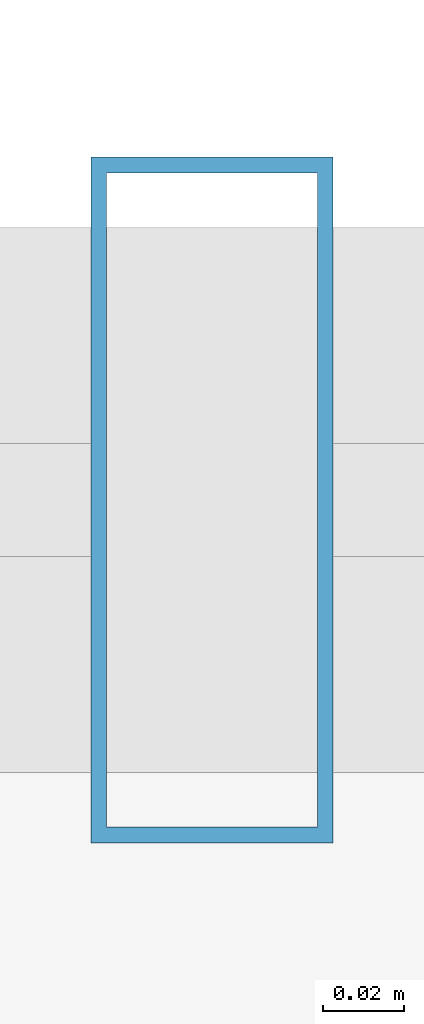
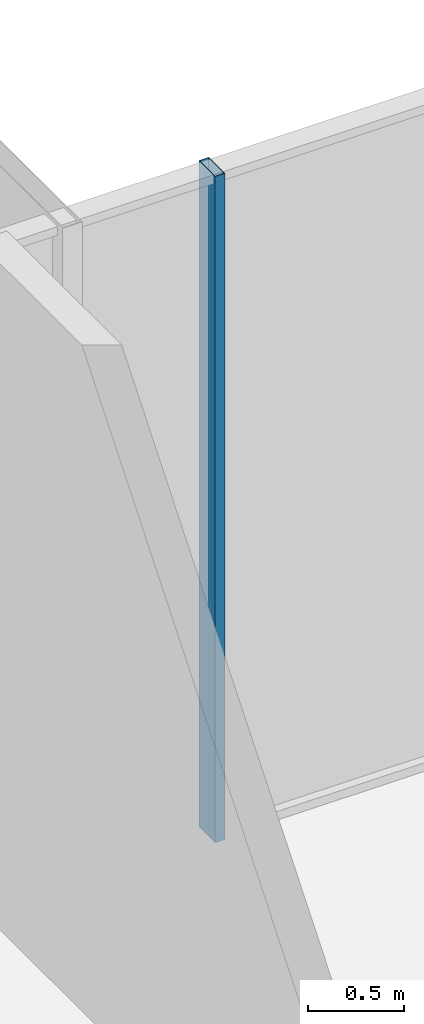
# One storey, part 29 of 39: 1 member, 1 element without a shape of its own.
"""IFC4 building model written with IfcOpenShell, lengths in metres."""

from ifc_helpers import new_model, si_unit, direction, frame, origin, origin_2d, place, context, subcontext, project, spatial, hollow_rectangle, extrude, source, transform, mapped, material, layer, layer_set, material_profile, profile_set, type_object, element, aggregate, save


model = new_model("IFC4")

# Units and contexts
model_context = context("Model", 3, precision=1e-05, world=origin(), true_north=direction((0.0, 1.0)))
body_context = subcontext(model_context, "Body", "Model", "MODEL_VIEW")
ifc_project = project(units=[si_unit("LENGTHUNIT", "METRE"), si_unit("AREAUNIT", "SQUARE_METRE"), si_unit("VOLUMEUNIT", "CUBIC_METRE"), si_unit("PLANEANGLEUNIT", "RADIAN"), si_unit("MASSUNIT", "GRAM", prefix="KILO")], contexts=[model_context])

# Site, building, storey
site_placement = place(None, origin())
site = spatial("IfcSite", under=ifc_project, at=site_placement, CompositionType="ELEMENT")
building_placement = place(site_placement, origin())
building = spatial("IfcBuilding", under=site, at=building_placement, Name="Veraguas Prism Commons", CompositionType="ELEMENT")
storey_placement = place(building_placement, frame((0.0, 0.0, 22.800048828125)))
storey = spatial("IfcBuildingStorey", under=building, at=storey_placement, Name="L05", CompositionType="ELEMENT", Elevation=22.800048828125)

# Curtain wall, member
ifc_material = material(Name="Anodised aluminium EN AW-6063 T6", Category="aluminium")
ifc_layer = layer(ifc_material, 0.169921875, Name="Unitised Flush Curtain Wall Zone 1", Category="aluminium")
ifc_layer_set = layer_set([ifc_layer], Name="Anodised aluminium EN AW-6063 T6")
curtain_wall_type = type_object("IfcCurtainWallType", Name="Unitised Flush Curtain Wall Zone 1", PredefinedType="NOTDEFINED", material=ifc_layer_set)
curtain_wall_placement = place(storey_placement, origin())
curtain_wall = element("IfcCurtainWall", 1, at=curtain_wall_placement, inside=storey, type_object=curtain_wall_type, Name="Tower Facade Curtain Wall L05-F2", PredefinedType="NOTDEFINED")
ifc_material_profile = material_profile(ifc_material, hollow_rectangle(XDim=0.06005859375, YDim=0.169921875, WallThickness=0.00390625, at=origin_2d()), Name="AL60X170X4")
ifc_profile_set = profile_set([ifc_material_profile], Name="Anodised aluminium EN AW-6063 T6")
member_type = type_object("IfcMemberType", Name="Curtain Wall Mullion Lower AL 60x170x4", PredefinedType="MULLION", material=ifc_profile_set)
shared_shape = source(origin(), body_context, "Body", "SweptSolid", [
    extrude(hollow_rectangle(XDim=0.06005859375, YDim=0.169921875, WallThickness=0.00390625, at=origin_2d()), origin(), (0.0, 0.0, 1.0), 4.25),
])
member_placement = place(storey_placement, frame((28.6708984375, 44.78466796875, 0.0), z_axis=(0.0, 0.0, 1.0), x_axis=(-1.0, 0.0, 0.0)))
member = element("IfcMember", 2, at=member_placement, type_object=member_type, Name="CW-Z1 Mullion 2", PredefinedType="MULLION", context=body_context, shape_type="MappedRepresentation", body=[
    mapped(shared_shape, transform((0.0, 0.0, 0.0), scale=1.0)),
])
aggregate(curtain_wall, [member])

save(model, "model.ifc")
